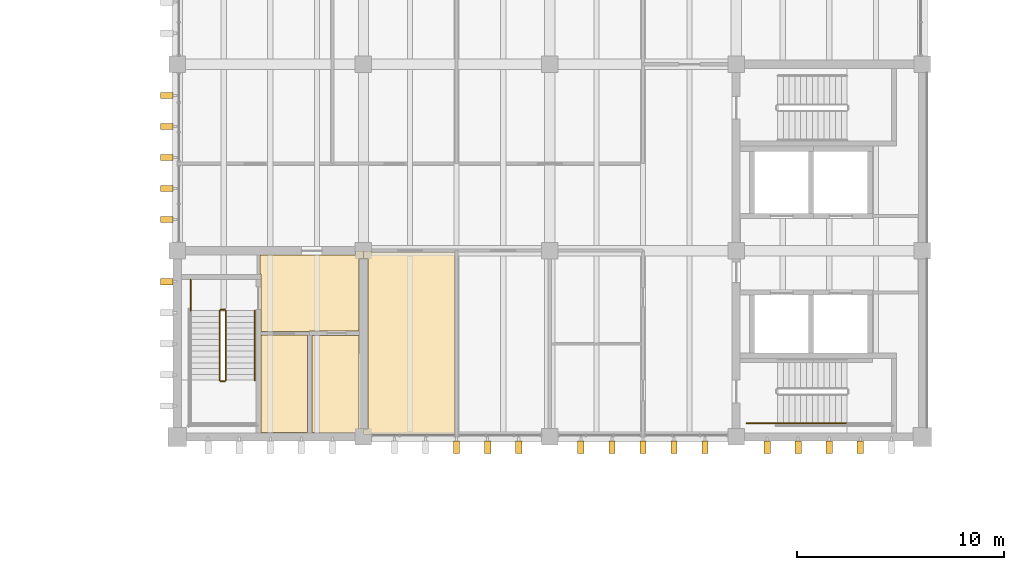
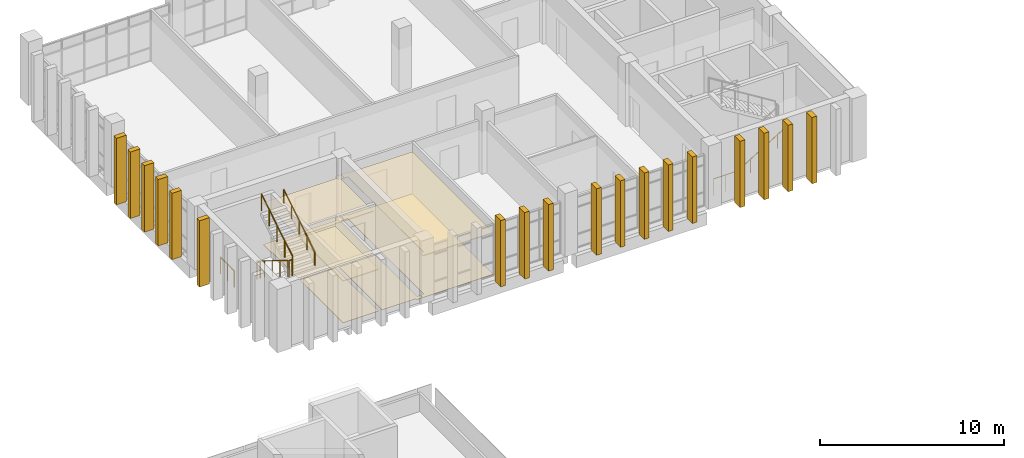
# One storey, part 26 of 29: 18 shading devices, 8 railings, 7 coverings.
"""IFC4 building model written with IfcOpenShell, lengths in metres."""

from ifc_helpers import new_model, si_unit, direction, frame, origin, origin_2d, place, context, subcontext, project, spatial, polyline, circle, outline, extrude, source, transform, mapped, material, layer, layer_set, type_object, element, save


model = new_model("IFC4")

# Units and contexts
model_context = context("Model", 3, precision=1e-05, world=origin(), true_north=direction((0.0, 1.0)))
body_context = subcontext(model_context, "Body", "Model", "MODEL_VIEW")
ifc_project = project(units=[si_unit("LENGTHUNIT", "METRE"), si_unit("AREAUNIT", "SQUARE_METRE"), si_unit("VOLUMEUNIT", "CUBIC_METRE"), si_unit("PLANEANGLEUNIT", "RADIAN"), si_unit("MASSUNIT", "GRAM", prefix="KILO")], contexts=[model_context])

# Site, building, storey
site_placement = place(None, origin())
site = spatial("IfcSite", under=ifc_project, at=site_placement, CompositionType="ELEMENT")
building_placement = place(site_placement, origin())
building = spatial("IfcBuilding", under=site, at=building_placement, Name="Merrow Basin Faculty of Sciences", CompositionType="ELEMENT")
storey_placement = place(building_placement, frame((0.0, 0.0, 22.5)))
storey = spatial("IfcBuildingStorey", under=building, at=storey_placement, Name="L05", CompositionType="ELEMENT", Elevation=22.5)

# Coverings
ifc_material_1 = material(Name="Carpet tile floor")
ifc_layer_1 = layer(ifc_material_1, 0.02001953125)
ifc_layer_set_1 = layer_set([ifc_layer_1], Name="Carpet tile floor")
covering_type_1 = type_object("IfcCoveringType", Name="Carpet tile floor", PredefinedType="FLOORING", material=ifc_layer_set_1)
covering_1_placement = place(storey_placement, origin())
element("IfcCovering", 1, at=covering_1_placement, inside=storey, type_object=covering_type_1, Name="Floor finish L05-T-011", PredefinedType="FLOORING", context=body_context, shape_type="SweptSolid", body=[
    extrude(outline(polyline([(26.989990234375, 142.110107421875), (26.610107421875, 142.110107421875), (26.610107421875, 142.2099609375), (24.510009765625, 142.2099609375), (24.510009765625, 146.889892578125), (26.7900390625, 146.889892578125), (26.7900390625, 142.389892578125), (26.989990234375, 142.389892578125), (26.989990234375, 142.110107421875)])), origin(), (0.0, 0.0, 1.0), 0.02001953125),
])
ifc_material_2 = material(Name="Ceramic floor tile")
ifc_layer_2 = layer(ifc_material_2, 0.02001953125)
ifc_layer_set_2 = layer_set([ifc_layer_2], Name="Ceramic floor tile")
covering_type_2 = type_object("IfcCoveringType", Name="Ceramic floor tile", PredefinedType="FLOORING", material=ifc_layer_set_2)
covering_2_placement = place(storey_placement, origin())
element("IfcCovering", 2, at=covering_2_placement, inside=storey, type_object=covering_type_2, Name="Floor finish L05-T-010", PredefinedType="FLOORING", context=body_context, shape_type="SweptSolid", body=[
    extrude(outline(polyline([(24.2900390625, 146.9150390625), (24.2900390625, 142.2099609375), (22.06005859375, 142.2099609375), (22.06005859375, 146.9150390625), (24.2900390625, 146.9150390625)])), origin(), (0.0, 0.0, 1.0), 0.02001953125),
])
ifc_material_3 = material(Name="Laboratory sheet vinyl floor")
ifc_layer_3 = layer(ifc_material_3, 0.02001953125)
ifc_layer_set_3 = layer_set([ifc_layer_3], Name="Laboratory sheet vinyl floor")
covering_type_3 = type_object("IfcCoveringType", Name="Laboratory sheet vinyl floor", PredefinedType="FLOORING", material=ifc_layer_set_3)
covering_3_placement = place(storey_placement, origin())
element("IfcCovering", 3, at=covering_3_placement, inside=storey, type_object=covering_type_3, Name="Floor finish L05-T-017", PredefinedType="FLOORING", context=body_context, shape_type="SweptSolid", body=[
    extrude(outline(polyline([(27.389892578125, 150.989990234375), (27.389892578125, 150.9150390625), (31.4150390625, 150.9150390625), (31.4150390625, 142.110107421875), (27.010009765625, 142.110107421875), (27.010009765625, 142.389892578125), (27.2099609375, 142.389892578125), (27.2099609375, 150.610107421875), (27.010009765625, 150.610107421875), (27.010009765625, 150.989990234375), (27.389892578125, 150.989990234375)])), origin(), (0.0, 0.0, 1.0), 0.02001953125),
])
ifc_material_4 = material(Name="Polished terrazzo floor")
ifc_layer_4 = layer(ifc_material_4, 0.02001953125)
ifc_layer_set_4 = layer_set([ifc_layer_4], Name="Polished terrazzo floor")
covering_type_4 = type_object("IfcCoveringType", Name="Polished terrazzo floor", PredefinedType="FLOORING", material=ifc_layer_set_4)
covering_4_placement = place(storey_placement, origin())
element("IfcCovering", 4, at=covering_4_placement, inside=storey, type_object=covering_type_4, Name="Floor finish L05-T-009", PredefinedType="FLOORING", context=body_context, shape_type="SweptSolid", body=[
    extrude(outline(polyline([(26.989990234375, 150.989990234375), (26.989990234375, 150.610107421875), (26.7900390625, 150.610107421875), (26.7900390625, 147.110107421875), (24.389892578125, 147.110107421875), (24.389892578125, 147.0849609375), (22.06005859375, 147.0849609375), (22.06005859375, 149.860107421875), (22.010009765625, 149.860107421875), (22.010009765625, 150.7900390625), (26.610107421875, 150.7900390625), (26.610107421875, 150.989990234375), (26.989990234375, 150.989990234375)])), origin(), (0.0, 0.0, 1.0), 0.02001953125),
])

# Railings
ifc_material_5 = material(Name="Steel ASTM A36", Category="steel")
railing_type_1 = type_object("IfcRailingType", Name="Steel guard 1100", PredefinedType="GUARDRAIL", material=ifc_material_5)
railing_1_placement = place(storey_placement, frame((45.5, 142.64990234375, 0.0)))
element("IfcRailing", 5, at=railing_1_placement, inside=storey, type_object=railing_type_1, Name="L05 ST-V5-N stair guard 6", PredefinedType="GUARDRAIL", context=body_context, shape_type="SweptSolid", body=[
    extrude(circle(Radius=0.02392578125, at=origin_2d()), frame((0.0, 0.0, 1.076171875), z_axis=(1.0, 0.0, 0.0), x_axis=(0.0, 1.0, 0.0)), (0.0, 0.0, 1.0), 1.5),
    extrude(circle(Radius=0.02099609375, at=origin_2d()), origin(), (0.0, 0.0, 1.0), 1.052001953125),
    extrude(circle(Radius=0.02099609375, at=origin_2d()), frame((0.75, 0.0, 0.0)), (0.0, 0.0, 1.0), 1.052001953125),
    extrude(circle(Radius=0.02099609375, at=origin_2d()), frame((1.5, 0.0, 0.0)), (0.0, 0.0, 1.0), 1.052001953125),
])
railing_2_placement = place(storey_placement, frame((20.050048828125, 148.10009765625, 0.173095703125)))
element("IfcRailing", 6, at=railing_2_placement, inside=storey, type_object=railing_type_1, Name="L05 ST-V5-W stair guard 1", PredefinedType="GUARDRAIL", context=body_context, shape_type="SweptSolid", body=[
    extrude(circle(Radius=0.02392578125, at=origin_2d()), frame((0.0, 0.0, 1.076171875), z_axis=(0.0, -0.850623216509, 0.525775754039), x_axis=(1.0, 0.0, 0.0)), (0.0, 0.0, 1.0), 3.9501953125),
    extrude(circle(Radius=0.02099609375, at=origin_2d()), origin(), (0.0, 0.0, 1.0), 1.052001953125),
    extrude(circle(Radius=0.02099609375, at=origin_2d()), frame((0.0, -0.840087890625, 0.519287109375)), (0.0, 0.0, 1.0), 1.052001953125),
    extrude(circle(Radius=0.02099609375, at=origin_2d()), frame((0.0, -1.68017578125, 1.03857421875)), (0.0, 0.0, 1.0), 1.052001953125),
    extrude(circle(Radius=0.02099609375, at=origin_2d()), frame((0.0, -2.52001953125, 1.5576171875)), (0.0, 0.0, 1.0), 1.052001953125),
    extrude(circle(Radius=0.02099609375, at=origin_2d()), frame((0.0, -3.360107421875, 2.076904296875)), (0.0, 0.0, 1.0), 1.052001953125),
])
railing_3_placement = place(storey_placement, frame((20.10009765625, 144.68994140625, 2.25)))
element("IfcRailing", 7, at=railing_3_placement, inside=storey, type_object=railing_type_1, Name="L05 ST-V5-W stair guard 2", PredefinedType="GUARDRAIL", context=body_context, shape_type="SweptSolid", body=[
    extrude(circle(Radius=0.02392578125, at=origin_2d()), frame((0.0, 0.0, 1.076171875), z_axis=(1.0, 0.0, 0.0), x_axis=(0.0, 1.0, 0.0)), (0.0, 0.0, 1.0), 0.199951171875),
    extrude(circle(Radius=0.02099609375, at=origin_2d()), origin(), (0.0, 0.0, 1.0), 1.052001953125),
    extrude(circle(Radius=0.02099609375, at=origin_2d()), frame((0.199951171875, 0.0, 0.0)), (0.0, 0.0, 1.0), 1.052001953125),
])
railing_4_placement = place(storey_placement, frame((20.35009765625, 144.739990234375, 2.423095703125)))
element("IfcRailing", 8, at=railing_4_placement, inside=storey, type_object=railing_type_1, Name="L05 ST-V5-W stair guard 5", PredefinedType="GUARDRAIL", context=body_context, shape_type="SweptSolid", body=[
    extrude(circle(Radius=0.02392578125, at=origin_2d()), frame((0.0, 0.0, 1.076171875), z_axis=(0.0, 0.850623216509, 0.525775754039), x_axis=(-1.0, 0.0, 0.0)), (0.0, 0.0, 1.0), 3.9501953125),
    extrude(circle(Radius=0.02099609375, at=origin_2d()), origin(), (0.0, 0.0, 1.0), 1.052001953125),
    extrude(circle(Radius=0.02099609375, at=origin_2d()), frame((0.0, 0.840087890625, 0.519287109375)), (0.0, 0.0, 1.0), 1.052001953125),
    extrude(circle(Radius=0.02099609375, at=origin_2d()), frame((0.0, 1.68017578125, 1.03857421875)), (0.0, 0.0, 1.0), 1.052001953125),
    extrude(circle(Radius=0.02099609375, at=origin_2d()), frame((0.0, 2.52001953125, 1.5576171875)), (0.0, 0.0, 1.0), 1.052001953125),
    extrude(circle(Radius=0.02099609375, at=origin_2d()), frame((0.0, 3.360107421875, 2.076904296875)), (0.0, 0.0, 1.0), 1.052001953125),
])
railing_5_placement = place(storey_placement, frame((20.10009765625, 148.14990234375, 0.0)))
element("IfcRailing", 9, at=railing_5_placement, inside=storey, type_object=railing_type_1, Name="L05 ST-V5-W stair guard 6", PredefinedType="GUARDRAIL", context=body_context, shape_type="SweptSolid", body=[
    extrude(circle(Radius=0.02392578125, at=origin_2d()), frame((0.0, 0.0, 1.076171875), z_axis=(1.0, 0.0, 0.0), x_axis=(0.0, 1.0, 0.0)), (0.0, 0.0, 1.0), 0.199951171875),
    extrude(circle(Radius=0.02099609375, at=origin_2d()), origin(), (0.0, 0.0, 1.0), 1.052001953125),
    extrude(circle(Radius=0.02099609375, at=origin_2d()), frame((0.199951171875, 0.0, 0.0)), (0.0, 0.0, 1.0), 1.052001953125),
])
railing_6_placement = place(storey_placement, frame((18.64990234375, 149.60009765625, 0.0)))
element("IfcRailing", 10, at=railing_6_placement, inside=storey, type_object=railing_type_1, Name="L05 ST-V5-W stair guard 7", PredefinedType="GUARDRAIL", context=body_context, shape_type="SweptSolid", body=[
    extrude(circle(Radius=0.02392578125, at=origin_2d()), frame((0.0, 0.0, 1.076171875), z_axis=(0.0, -1.0, 0.0), x_axis=(1.0, 0.0, 0.0)), (0.0, 0.0, 1.0), 1.5),
    extrude(circle(Radius=0.02099609375, at=origin_2d()), origin(), (0.0, 0.0, 1.0), 1.052001953125),
    extrude(circle(Radius=0.02099609375, at=origin_2d()), frame((0.0, -0.75, 0.0)), (0.0, 0.0, 1.0), 1.052001953125),
    extrude(circle(Radius=0.02099609375, at=origin_2d()), frame((0.0, -1.5, 0.0)), (0.0, 0.0, 1.0), 1.052001953125),
])
ifc_material_6 = material(Name="Steel ASTM A36", Category="steel")
railing_type_2 = type_object("IfcRailingType", Name="Steel handrail 900", PredefinedType="HANDRAIL", material=ifc_material_6)
railing_7_placement = place(storey_placement, frame((47.0, 142.64990234375, 0.173095703125)))
element("IfcRailing", 11, at=railing_7_placement, inside=storey, type_object=railing_type_2, Name="L05 ST-V5-N stair handrail 1", PredefinedType="HANDRAIL", context=body_context, shape_type="SweptSolid", body=[
    extrude(circle(Radius=0.02392578125, at=origin_2d()), frame((0.0, 0.0, 0.8759765625), z_axis=(0.850623216509, 0.0, 0.525775754039), x_axis=(0.0, 1.0, 0.0)), (0.0, 0.0, 1.0), 3.9501953125),
    extrude(circle(Radius=0.02099609375, at=origin_2d()), origin(), (0.0, 0.0, 1.0), 0.851806640625),
    extrude(circle(Radius=0.02099609375, at=origin_2d()), frame((0.840087890625, 0.0, 0.519287109375)), (0.0, 0.0, 1.0), 0.851806640625),
    extrude(circle(Radius=0.02099609375, at=origin_2d()), frame((1.68017578125, 0.0, 1.03857421875)), (0.0, 0.0, 1.0), 0.851806640625),
    extrude(circle(Radius=0.02099609375, at=origin_2d()), frame((2.52001953125, 0.0, 1.5576171875)), (0.0, 0.0, 1.0), 0.851806640625),
    extrude(circle(Radius=0.02099609375, at=origin_2d()), frame((3.360107421875, 0.0, 2.076904296875)), (0.0, 0.0, 1.0), 0.851806640625),
])
railing_8_placement = place(storey_placement, frame((21.75, 144.739990234375, 2.423095703125)))
element("IfcRailing", 12, at=railing_8_placement, inside=storey, type_object=railing_type_2, Name="L05 ST-V5-W stair handrail 2", PredefinedType="HANDRAIL", context=body_context, shape_type="SweptSolid", body=[
    extrude(circle(Radius=0.02392578125, at=origin_2d()), frame((0.0, 0.0, 0.8759765625), z_axis=(0.0, 0.850623216509, 0.525775754039), x_axis=(-1.0, 0.0, 0.0)), (0.0, 0.0, 1.0), 3.9501953125),
    extrude(circle(Radius=0.02099609375, at=origin_2d()), origin(), (0.0, 0.0, 1.0), 0.851806640625),
    extrude(circle(Radius=0.02099609375, at=origin_2d()), frame((0.0, 0.840087890625, 0.519287109375)), (0.0, 0.0, 1.0), 0.851806640625),
    extrude(circle(Radius=0.02099609375, at=origin_2d()), frame((0.0, 1.68017578125, 1.03857421875)), (0.0, 0.0, 1.0), 0.851806640625),
    extrude(circle(Radius=0.02099609375, at=origin_2d()), frame((0.0, 2.52001953125, 1.5576171875)), (0.0, 0.0, 1.0), 0.851806640625),
    extrude(circle(Radius=0.02099609375, at=origin_2d()), frame((0.0, 3.360107421875, 2.076904296875)), (0.0, 0.0, 1.0), 0.851806640625),
])

# Coverings
ifc_material_7 = material(Name="Mineral fibre ceiling tile")
ifc_layer_5 = layer(ifc_material_7, 0.050048828125)
ifc_layer_set_5 = layer_set([ifc_layer_5], Name="Suspended acoustic ceiling tile")
covering_type_5 = type_object("IfcCoveringType", Name="Suspended acoustic ceiling tile", PredefinedType="CEILING", material=ifc_layer_set_5)
covering_5_placement = place(storey_placement, frame((0.0, 0.0, 2.75)))
element("IfcCovering", 13, at=covering_5_placement, inside=storey, type_object=covering_type_5, Name="Ceiling L05-T-009", PredefinedType="CEILING", context=body_context, shape_type="SweptSolid", body=[
    extrude(outline(polyline([(26.989990234375, 150.989990234375), (26.989990234375, 150.610107421875), (26.7900390625, 150.610107421875), (26.7900390625, 147.110107421875), (24.389892578125, 147.110107421875), (24.389892578125, 147.0849609375), (22.06005859375, 147.0849609375), (22.06005859375, 149.860107421875), (22.010009765625, 149.860107421875), (22.010009765625, 150.7900390625), (26.610107421875, 150.7900390625), (26.610107421875, 150.989990234375), (26.989990234375, 150.989990234375)])), origin(), (0.0, 0.0, 1.0), 0.050048828125),
])
covering_6_placement = place(storey_placement, frame((0.0, 0.0, 2.75)))
element("IfcCovering", 14, at=covering_6_placement, inside=storey, type_object=covering_type_5, Name="Ceiling L05-T-010", PredefinedType="CEILING", context=body_context, shape_type="SweptSolid", body=[
    extrude(outline(polyline([(24.2900390625, 146.9150390625), (24.2900390625, 142.2099609375), (22.06005859375, 142.2099609375), (22.06005859375, 146.9150390625), (24.2900390625, 146.9150390625)])), origin(), (0.0, 0.0, 1.0), 0.050048828125),
])
covering_7_placement = place(storey_placement, frame((0.0, 0.0, 2.75)))
element("IfcCovering", 15, at=covering_7_placement, inside=storey, type_object=covering_type_5, Name="Ceiling L05-T-017", PredefinedType="CEILING", context=body_context, shape_type="SweptSolid", body=[
    extrude(outline(polyline([(27.389892578125, 150.989990234375), (27.389892578125, 150.9150390625), (31.4150390625, 150.9150390625), (31.4150390625, 142.110107421875), (27.010009765625, 142.110107421875), (27.010009765625, 142.389892578125), (27.2099609375, 142.389892578125), (27.2099609375, 150.610107421875), (27.010009765625, 150.610107421875), (27.010009765625, 150.989990234375), (27.389892578125, 150.989990234375)])), origin(), (0.0, 0.0, 1.0), 0.050048828125),
])

# Shading devices
ifc_material_8 = material(Name="White precast concrete C50/60", Category="concrete")
shading_device_type = type_object("IfcShadingDeviceType", Name="White precast fin 300 x 600", PredefinedType="USERDEFINED", material=ifc_material_8)
shared_shape = source(origin(), body_context, "Body", "SweptSolid", [
    extrude(outline(polyline([(0.0, 0.0), (0.300048828125, 0.0), (0.300048828125, 4.39990234375), (0.0, 4.39990234375), (0.0, 0.0)])), origin(), (0.0, 0.0, 1.0), 0.60009765625),
])
for number, where, z_axis, x_axis, name in (
    (16, (31.35009765625, 141.800048828125, -0.25), (0.0, -1.0, 0.0), (1.0, 0.0, 0.0), "Brise-soleil fin SL05"),
    (17, (32.85009765625, 141.800048828125, -0.25), (0.0, -1.0, 0.0), (1.0, 0.0, 0.0), "Brise-soleil fin SL05"),
    (18, (34.35009765625, 141.800048828125, -0.25), (0.0, -1.0, 0.0), (1.0, 0.0, 0.0), "Brise-soleil fin SL05"),
    (19, (37.35009765625, 141.800048828125, -0.25), (0.0, -1.0, 0.0), (1.0, 0.0, 0.0), "Brise-soleil fin SL05"),
    (20, (38.85009765625, 141.800048828125, -0.25), (0.0, -1.0, 0.0), (1.0, 0.0, 0.0), "Brise-soleil fin SL05"),
    (21, (40.35009765625, 141.800048828125, -0.25), (0.0, -1.0, 0.0), (1.0, 0.0, 0.0), "Brise-soleil fin SL05"),
    (22, (41.85009765625, 141.800048828125, -0.25), (0.0, -1.0, 0.0), (1.0, 0.0, 0.0), "Brise-soleil fin SL05"),
    (23, (43.35009765625, 141.800048828125, -0.25), (0.0, -1.0, 0.0), (1.0, 0.0, 0.0), "Brise-soleil fin SL05"),
    (24, (46.35009765625, 141.800048828125, -0.25), (0.0, -1.0, 0.0), (1.0, 0.0, 0.0), "Brise-soleil fin SL05"),
    (25, (47.85009765625, 141.800048828125, -0.25), (0.0, -1.0, 0.0), (1.0, 0.0, 0.0), "Brise-soleil fin SL05"),
    (26, (49.35009765625, 141.800048828125, -0.25), (0.0, -1.0, 0.0), (1.0, 0.0, 0.0), "Brise-soleil fin SL05"),
    (27, (50.85009765625, 141.800048828125, -0.25), (0.0, -1.0, 0.0), (1.0, 0.0, 0.0), "Brise-soleil fin SL05"),
    (28, (17.800048828125, 149.64990234375, -0.25), (-1.0, 0.0, 0.0), (0.0, -1.0, 0.0), "Brise-soleil fin WL05"),
    (29, (17.800048828125, 152.64990234375, -0.25), (-1.0, 0.0, 0.0), (0.0, -1.0, 0.0), "Brise-soleil fin WL05"),
    (30, (17.800048828125, 154.14990234375, -0.25), (-1.0, 0.0, 0.0), (0.0, -1.0, 0.0), "Brise-soleil fin WL05"),
    (31, (17.800048828125, 155.64990234375, -0.25), (-1.0, 0.0, 0.0), (0.0, -1.0, 0.0), "Brise-soleil fin WL05"),
    (32, (17.800048828125, 157.14990234375, -0.25), (-1.0, 0.0, 0.0), (0.0, -1.0, 0.0), "Brise-soleil fin WL05"),
    (33, (17.800048828125, 158.64990234375, -0.25), (-1.0, 0.0, 0.0), (0.0, -1.0, 0.0), "Brise-soleil fin WL05"),
):
    element("IfcShadingDevice", number, at=place(storey_placement, frame(where, z_axis=z_axis, x_axis=x_axis)), inside=storey, type_object=shading_device_type, Name=name, ObjectType="FIN", PredefinedType="USERDEFINED", context=body_context, shape_type="MappedRepresentation", body=[
        mapped(shared_shape, transform((0.0, 0.0, 0.0), scale=1.0)),
    ])

save(model, "model.ifc")
